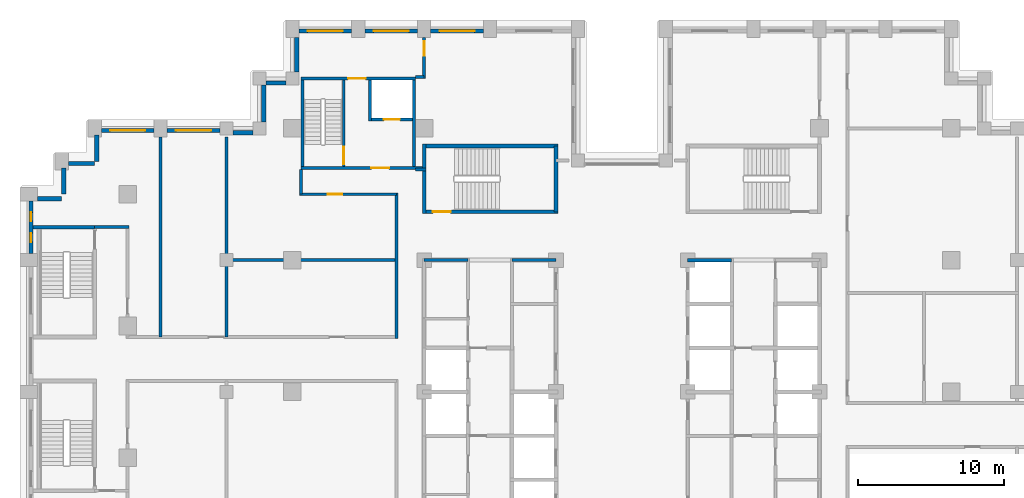
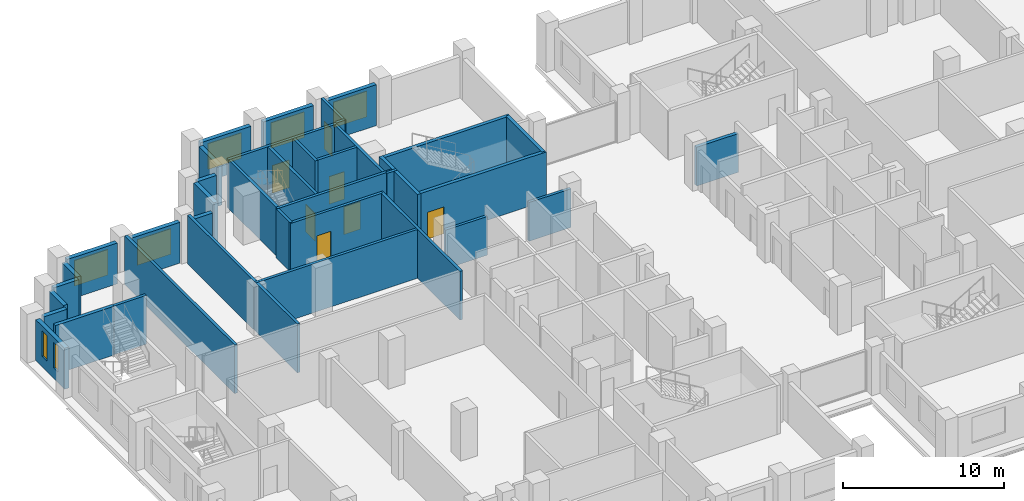
# One storey, part 10 of 16: 39 walls, 7 doors, 7 windows, 14 openings.
"""IFC4 building model written with IfcOpenShell, lengths in metres."""

from ifc_helpers import new_model, si_unit, direction, frame, frame_2d, origin, place, context, subcontext, project, spatial, rectangle, extrude, material, layer, layer_set, type_object, element, fill, save


model = new_model("IFC4")

# Units and contexts
model_context = context("Model", 3, precision=1e-05, world=origin(), true_north=direction((0.0, 1.0)))
body_context = subcontext(model_context, "Body", "Model", "MODEL_VIEW")
ifc_project = project(units=[si_unit("LENGTHUNIT", "METRE"), si_unit("AREAUNIT", "SQUARE_METRE"), si_unit("VOLUMEUNIT", "CUBIC_METRE"), si_unit("PLANEANGLEUNIT", "RADIAN"), si_unit("MASSUNIT", "GRAM", prefix="KILO")], contexts=[model_context])

# Site, building, storey
site_placement = place(None, origin())
site = spatial("IfcSite", under=ifc_project, at=site_placement, CompositionType="ELEMENT")
building_placement = place(site_placement, origin())
building = spatial("IfcBuilding", under=site, at=building_placement, Name="Corbelhall Arena Tower", CompositionType="ELEMENT")
storey_placement = place(building_placement, frame((0.0, 0.0, 72.0)))
storey = spatial("IfcBuildingStorey", under=building, at=storey_placement, Name="L10", CompositionType="ELEMENT", Elevation=72.0)

# Walls
ifc_material_1 = material(Name="Precast concrete C40/50 with granite facing", Category="masonry")
ifc_layer_1 = layer(ifc_material_1, 0.300048828125)
ifc_layer_set_1 = layer_set([ifc_layer_1], Name="EV-IW1 Infill panel 300")
wall_type_1 = type_object("IfcWallType", Name="EV-IW1 Infill panel 300", PredefinedType="SOLIDWALL", material=ifc_layer_set_1)
for number, where, z_axis, x_axis, name in (
    (1, (-35.85009765625, 17.550048828125, 0.0), (0.0, 0.0, 1.0), (0.0, -1.0, 0.0), "Infill panel IW1"),
    (2, (-37.800048828125, 15.60009765625, 0.0), (0.0, 0.0, 1.0), (1.0, 0.0, 0.0), "Infill panel IW1"),
    (3, (-38.10009765625, 15.300048828125, 0.0), (0.0, 0.0, 1.0), (0.0, -1.0, 0.0), "Infill panel IW1"),
):
    element("IfcWall", number, at=place(storey_placement, frame(where, z_axis=z_axis, x_axis=x_axis)), inside=storey, type_object=wall_type_1, Name=name, PredefinedType="SOLIDWALL", context=body_context, shape_type="SweptSolid", body=[
        extrude(rectangle(XDim=1.800048828125, YDim=0.300048828125, at=frame_2d((0.89990234375, 0.0))), origin(), (0.0, 0.0, 1.0), 3.10009765625),
    ])
wall_1_placement = place(storey_placement, frame((-39.89990234375, 13.199951171875, 0.0), z_axis=(0.0, 0.0, 1.0), x_axis=(1.0, 0.0, 0.0)))
element("IfcWall", 4, at=wall_1_placement, inside=storey, type_object=wall_type_1, Name="Infill panel IW1", PredefinedType="SOLIDWALL", context=body_context, shape_type="SweptSolid", body=[
    extrude(rectangle(XDim=1.64990234375, YDim=0.300048828125, at=frame_2d((0.824951171875, 0.0))), origin(), (0.0, 0.0, 1.0), 3.10009765625),
])
wall_2_placement = place(storey_placement, frame((-22.199951171875, 24.199951171875, 0.0), z_axis=(0.0, 0.0, 1.0), x_axis=(0.0, -1.0, 0.0)))
element("IfcWall", 5, at=wall_2_placement, inside=storey, type_object=wall_type_1, Name="Infill panel IW1", PredefinedType="SOLIDWALL", context=body_context, shape_type="SweptSolid", body=[
    extrude(rectangle(XDim=2.349853515625, YDim=0.300048828125, at=frame_2d((1.1748046875, 0.0))), origin(), (0.0, 0.0, 1.0), 3.10009765625),
])
wall_3_placement = place(storey_placement, frame((-22.949951171875, 21.10009765625, 0.0), z_axis=(0.0, 0.0, 1.0), x_axis=(-1.0, 0.0, 0.0)))
element("IfcWall", 6, at=wall_3_placement, inside=storey, type_object=wall_type_1, Name="Infill panel IW1", PredefinedType="SOLIDWALL", context=body_context, shape_type="SweptSolid", body=[
    extrude(rectangle(XDim=1.35009765625, YDim=0.300048828125, at=frame_2d((0.675048828125, 0.0))), origin(), (0.0, 0.0, 1.0), 3.10009765625),
])
wall_4_placement = place(storey_placement, frame((-24.449951171875, 20.949951171875, 0.0), z_axis=(0.0, 0.0, 1.0), x_axis=(0.0, -1.0, 0.0)))
element("IfcWall", 7, at=wall_4_placement, inside=storey, type_object=wall_type_1, Name="Infill panel IW1", PredefinedType="SOLIDWALL", context=body_context, shape_type="SweptSolid", body=[
    extrude(rectangle(XDim=2.5, YDim=0.300048828125, at=frame_2d((1.25, 0.0))), origin(), (0.0, 0.0, 1.0), 3.10009765625),
])
wall_5_placement = place(storey_placement, frame((-25.199951171875, 17.699951171875, 0.0), z_axis=(0.0, 0.0, 1.0), x_axis=(-1.0, 0.0, 0.0)))
element("IfcWall", 8, at=wall_5_placement, inside=storey, type_object=wall_type_1, Name="Infill panel IW1", PredefinedType="SOLIDWALL", context=body_context, shape_type="SweptSolid", body=[
    extrude(rectangle(XDim=1.35009765625, YDim=0.300048828125, at=frame_2d((0.675048828125, 0.0))), origin(), (0.0, 0.0, 1.0), 3.10009765625),
])

# Wall, opening, window
wall_6_placement = place(storey_placement, frame((-27.449951171875, 17.85009765625, 0.0), z_axis=(0.0, 0.0, 1.0), x_axis=(-1.0, 0.0, 0.0)))
wall_6 = element("IfcWall", 9, at=wall_6_placement, inside=storey, type_object=wall_type_1, Name="Infill panel IW1", PredefinedType="SOLIDWALL", context=body_context, shape_type="SweptSolid", body=[
    extrude(rectangle(XDim=3.60009765625, YDim=0.300048828125, at=frame_2d((1.800048828125, 0.0))), origin(), (0.0, 0.0, 1.0), 3.10009765625),
])
opening_1_placement = place(wall_6_placement, frame((0.60009765625, 0.0, 0.800048828125)))
opening_1 = element("IfcOpeningElement", 10, at=opening_1_placement, cuts=wall_6, Name="Opening WN1", PredefinedType="OPENING", context=body_context, shape_type="SweptSolid", body=[
    extrude(rectangle(XDim=2.39990234375, YDim=1.949951171875, at=frame_2d((1.199951171875, 0.97509765625))), frame((0.0, 0.14990234375, 0.0), z_axis=(0.0, -1.0, 0.0), x_axis=(1.0, 0.0, 0.0)), (0.0, 0.0, 1.0), 0.300048828125),
])
ifc_material_2 = material(Name="Aluminium black anodised", Category="aluminium")
window_type_1 = type_object("IfcWindowType", Name="EV-WN1 Office window", PartitioningType="SINGLE_PANEL", PredefinedType="WINDOW", material=ifc_material_2)
window_1_placement = place(opening_1_placement, origin())
window_1 = element("IfcWindow", 11, at=window_1_placement, inside=storey, type_object=window_type_1, Name="Window WN1", OverallHeight=1.949951171875, OverallWidth=2.39990234375, PartitioningType="SINGLE_PANEL", PredefinedType="WINDOW", context=body_context, shape_type="SweptSolid", body=[
    extrude(rectangle(XDim=2.39990234375, YDim=1.949951171875, at=frame_2d((1.199951171875, 0.97509765625))), frame((0.0, 0.030029296875, 0.0), z_axis=(0.0, -1.0, 0.0), x_axis=(1.0, 0.0, 0.0)), (0.0, 0.0, 1.0), 0.06005859375),
])
fill(opening_1, window_1)

wall_7_placement = place(storey_placement, frame((-31.949951171875, 17.85009765625, 0.0), z_axis=(0.0, 0.0, 1.0), x_axis=(-1.0, 0.0, 0.0)))
wall_7 = element("IfcWall", 12, at=wall_7_placement, inside=storey, type_object=wall_type_1, Name="Infill panel IW1", PredefinedType="SOLIDWALL", context=body_context, shape_type="SweptSolid", body=[
    extrude(rectangle(XDim=3.60009765625, YDim=0.300048828125, at=frame_2d((1.800048828125, 0.0))), origin(), (0.0, 0.0, 1.0), 3.10009765625),
])
opening_2_placement = place(wall_7_placement, frame((0.60009765625, 0.0, 0.800048828125)))
opening_2 = element("IfcOpeningElement", 13, at=opening_2_placement, cuts=wall_7, Name="Opening WN1", PredefinedType="OPENING", context=body_context, shape_type="SweptSolid", body=[
    extrude(rectangle(XDim=2.39990234375, YDim=1.949951171875, at=frame_2d((1.199951171875, 0.97509765625))), frame((0.0, 0.14990234375, 0.0), z_axis=(0.0, -1.0, 0.0), x_axis=(1.0, 0.0, 0.0)), (0.0, 0.0, 1.0), 0.300048828125),
])
window_2_placement = place(opening_2_placement, origin())
window_2 = element("IfcWindow", 14, at=window_2_placement, inside=storey, type_object=window_type_1, Name="Window WN1", OverallHeight=1.949951171875, OverallWidth=2.39990234375, PartitioningType="SINGLE_PANEL", PredefinedType="WINDOW", context=body_context, shape_type="SweptSolid", body=[
    extrude(rectangle(XDim=2.39990234375, YDim=1.949951171875, at=frame_2d((1.199951171875, 0.97509765625))), frame((0.0, 0.030029296875, 0.0), z_axis=(0.0, -1.0, 0.0), x_axis=(1.0, 0.0, 0.0)), (0.0, 0.0, 1.0), 0.06005859375),
])
fill(opening_2, window_2)

# Wall, openings, windows
wall_8_placement = place(storey_placement, frame((-40.35009765625, 13.050048828125, 0.0), z_axis=(0.0, 0.0, 1.0), x_axis=(0.0, -1.0, 0.0)))
wall_8 = element("IfcWall", 15, at=wall_8_placement, inside=storey, type_object=wall_type_1, Name="Infill panel IW1", PredefinedType="SOLIDWALL", context=body_context, shape_type="SweptSolid", body=[
    extrude(rectangle(XDim=3.60009765625, YDim=0.300048828125, at=frame_2d((1.800048828125, 0.0))), origin(), (0.0, 0.0, 1.0), 3.10009765625),
])
opening_3_placement = place(wall_8_placement, frame((0.78759765625, 0.0, 0.800048828125)))
opening_3 = element("IfcOpeningElement", 16, at=opening_3_placement, cuts=wall_8, Name="Opening WN5", PredefinedType="OPENING", context=body_context, shape_type="SweptSolid", body=[
    extrude(rectangle(XDim=0.60009765625, YDim=1.949951171875, at=frame_2d((0.300048828125, 0.97509765625))), frame((0.0, 0.14990234375, 0.0), z_axis=(0.0, -1.0, 0.0), x_axis=(1.0, 0.0, 0.0)), (0.0, 0.0, 1.0), 0.300048828125),
])
opening_4_placement = place(wall_8_placement, frame((2.21240234375, 0.0, 0.800048828125)))
opening_4 = element("IfcOpeningElement", 17, at=opening_4_placement, cuts=wall_8, Name="Opening WN5", PredefinedType="OPENING", context=body_context, shape_type="SweptSolid", body=[
    extrude(rectangle(XDim=0.60009765625, YDim=1.949951171875, at=frame_2d((0.300048828125, 0.97509765625))), frame((0.0, 0.14990234375, 0.0), z_axis=(0.0, -1.0, 0.0), x_axis=(1.0, 0.0, 0.0)), (0.0, 0.0, 1.0), 0.300048828125),
])
window_type_2 = type_object("IfcWindowType", Name="EV-WN5 Office window 600", PartitioningType="SINGLE_PANEL", PredefinedType="WINDOW", material=ifc_material_2)
window_3_placement = place(opening_3_placement, origin())
window_3 = element("IfcWindow", 18, at=window_3_placement, inside=storey, type_object=window_type_2, Name="Window WN5", OverallHeight=1.949951171875, OverallWidth=0.60009765625, PartitioningType="SINGLE_PANEL", PredefinedType="WINDOW", context=body_context, shape_type="SweptSolid", body=[
    extrude(rectangle(XDim=0.60009765625, YDim=1.949951171875, at=frame_2d((0.300048828125, 0.97509765625))), frame((0.0, 0.030029296875, 0.0), z_axis=(0.0, -1.0, 0.0), x_axis=(1.0, 0.0, 0.0)), (0.0, 0.0, 1.0), 0.06005859375),
])
fill(opening_3, window_3)
window_4_placement = place(opening_4_placement, origin())
window_4 = element("IfcWindow", 19, at=window_4_placement, inside=storey, type_object=window_type_2, Name="Window WN5", OverallHeight=1.949951171875, OverallWidth=0.60009765625, PartitioningType="SINGLE_PANEL", PredefinedType="WINDOW", context=body_context, shape_type="SweptSolid", body=[
    extrude(rectangle(XDim=0.60009765625, YDim=1.949951171875, at=frame_2d((0.300048828125, 0.97509765625))), frame((0.0, 0.030029296875, 0.0), z_axis=(0.0, -1.0, 0.0), x_axis=(1.0, 0.0, 0.0)), (0.0, 0.0, 1.0), 0.06005859375),
])
fill(opening_4, window_4)

# Wall, opening, window
wall_9_placement = place(storey_placement, frame((-9.449951171875, 24.64990234375, 0.0), z_axis=(0.0, 0.0, 1.0), x_axis=(-1.0, 0.0, 0.0)))
wall_9 = element("IfcWall", 20, at=wall_9_placement, inside=storey, type_object=wall_type_1, Name="Infill panel IW1", PredefinedType="SOLIDWALL", context=body_context, shape_type="SweptSolid", body=[
    extrude(rectangle(XDim=3.60009765625, YDim=0.300048828125, at=frame_2d((1.800048828125, 0.0))), origin(), (0.0, 0.0, 1.0), 3.10009765625),
])
opening_5_placement = place(wall_9_placement, frame((0.60009765625, 0.0, 0.800048828125)))
opening_5 = element("IfcOpeningElement", 21, at=opening_5_placement, cuts=wall_9, Name="Opening WN1", PredefinedType="OPENING", context=body_context, shape_type="SweptSolid", body=[
    extrude(rectangle(XDim=2.39990234375, YDim=1.949951171875, at=frame_2d((1.199951171875, 0.97509765625))), frame((0.0, 0.14990234375, 0.0), z_axis=(0.0, -1.0, 0.0), x_axis=(1.0, 0.0, 0.0)), (0.0, 0.0, 1.0), 0.300048828125),
])
window_5_placement = place(opening_5_placement, origin())
window_5 = element("IfcWindow", 22, at=window_5_placement, inside=storey, type_object=window_type_1, Name="Window WN1", OverallHeight=1.949951171875, OverallWidth=2.39990234375, PartitioningType="SINGLE_PANEL", PredefinedType="WINDOW", context=body_context, shape_type="SweptSolid", body=[
    extrude(rectangle(XDim=2.39990234375, YDim=1.949951171875, at=frame_2d((1.199951171875, 0.97509765625))), frame((0.0, 0.030029296875, 0.0), z_axis=(0.0, -1.0, 0.0), x_axis=(1.0, 0.0, 0.0)), (0.0, 0.0, 1.0), 0.06005859375),
])
fill(opening_5, window_5)

wall_10_placement = place(storey_placement, frame((-13.949951171875, 24.64990234375, 0.0), z_axis=(0.0, 0.0, 1.0), x_axis=(-1.0, 0.0, 0.0)))
wall_10 = element("IfcWall", 23, at=wall_10_placement, inside=storey, type_object=wall_type_1, Name="Infill panel IW1", PredefinedType="SOLIDWALL", context=body_context, shape_type="SweptSolid", body=[
    extrude(rectangle(XDim=3.60009765625, YDim=0.300048828125, at=frame_2d((1.800048828125, 0.0))), origin(), (0.0, 0.0, 1.0), 3.10009765625),
])
opening_6_placement = place(wall_10_placement, frame((0.60009765625, 0.0, 0.800048828125)))
opening_6 = element("IfcOpeningElement", 24, at=opening_6_placement, cuts=wall_10, Name="Opening WN1", PredefinedType="OPENING", context=body_context, shape_type="SweptSolid", body=[
    extrude(rectangle(XDim=2.39990234375, YDim=1.949951171875, at=frame_2d((1.199951171875, 0.97509765625))), frame((0.0, 0.14990234375, 0.0), z_axis=(0.0, -1.0, 0.0), x_axis=(1.0, 0.0, 0.0)), (0.0, 0.0, 1.0), 0.300048828125),
])
window_6_placement = place(opening_6_placement, origin())
window_6 = element("IfcWindow", 25, at=window_6_placement, inside=storey, type_object=window_type_1, Name="Window WN1", OverallHeight=1.949951171875, OverallWidth=2.39990234375, PartitioningType="SINGLE_PANEL", PredefinedType="WINDOW", context=body_context, shape_type="SweptSolid", body=[
    extrude(rectangle(XDim=2.39990234375, YDim=1.949951171875, at=frame_2d((1.199951171875, 0.97509765625))), frame((0.0, 0.030029296875, 0.0), z_axis=(0.0, -1.0, 0.0), x_axis=(1.0, 0.0, 0.0)), (0.0, 0.0, 1.0), 0.06005859375),
])
fill(opening_6, window_6)

wall_11_placement = place(storey_placement, frame((-18.449951171875, 24.64990234375, 0.0), z_axis=(0.0, 0.0, 1.0), x_axis=(-1.0, 0.0, 0.0)))
wall_11 = element("IfcWall", 26, at=wall_11_placement, inside=storey, type_object=wall_type_1, Name="Infill panel IW1", PredefinedType="SOLIDWALL", context=body_context, shape_type="SweptSolid", body=[
    extrude(rectangle(XDim=3.60009765625, YDim=0.300048828125, at=frame_2d((1.800048828125, 0.0))), origin(), (0.0, 0.0, 1.0), 3.10009765625),
])
opening_7_placement = place(wall_11_placement, frame((0.60009765625, 0.0, 0.800048828125)))
opening_7 = element("IfcOpeningElement", 27, at=opening_7_placement, cuts=wall_11, Name="Opening WN1", PredefinedType="OPENING", context=body_context, shape_type="SweptSolid", body=[
    extrude(rectangle(XDim=2.39990234375, YDim=1.949951171875, at=frame_2d((1.199951171875, 0.97509765625))), frame((0.0, 0.14990234375, 0.0), z_axis=(0.0, -1.0, 0.0), x_axis=(1.0, 0.0, 0.0)), (0.0, 0.0, 1.0), 0.300048828125),
])
window_7_placement = place(opening_7_placement, origin())
window_7 = element("IfcWindow", 28, at=window_7_placement, inside=storey, type_object=window_type_1, Name="Window WN1", OverallHeight=1.949951171875, OverallWidth=2.39990234375, PartitioningType="SINGLE_PANEL", PredefinedType="WINDOW", context=body_context, shape_type="SweptSolid", body=[
    extrude(rectangle(XDim=2.39990234375, YDim=1.949951171875, at=frame_2d((1.199951171875, 0.97509765625))), frame((0.0, 0.030029296875, 0.0), z_axis=(0.0, -1.0, 0.0), x_axis=(1.0, 0.0, 0.0)), (0.0, 0.0, 1.0), 0.06005859375),
])
fill(opening_7, window_7)

# Walls
ifc_material_3 = material(Name="Gypsum board on steel stud, acoustic", Category="steel")
ifc_layer_2 = layer(ifc_material_3, 0.199951171875)
ifc_layer_set_2 = layer_set([ifc_layer_2], Name="IN-W-DM200")
wall_type_2 = type_object("IfcWallType", Name="IN-W-DM200", PredefinedType="PARTITIONING", material=ifc_layer_set_2)
wall_12_placement = place(storey_placement, frame((-36.0, 11.25, 0.0), z_axis=(0.0, 0.0, 1.0), x_axis=(1.0, 0.0, 0.0)))
element("IfcWall", 29, at=wall_12_placement, inside=storey, type_object=wall_type_2, Name="Partition 001", PredefinedType="PARTITIONING", context=body_context, shape_type="SweptSolid", body=[
    extrude(rectangle(XDim=2.35009765625, YDim=0.199951171875, at=frame_2d((1.175048828125, 0.0))), origin(), (0.0, 0.0, 1.0), 3.699951171875),
])
wall_13_placement = place(storey_placement, frame((-31.5, 17.39990234375, 0.0), z_axis=(0.0, 0.0, 1.0), x_axis=(0.0, -1.0, 0.0)))
element("IfcWall", 30, at=wall_13_placement, inside=storey, type_object=wall_type_2, Name="Partition 006", PredefinedType="PARTITIONING", context=body_context, shape_type="SweptSolid", body=[
    extrude(rectangle(XDim=13.64990234375, YDim=0.199951171875, at=frame_2d((6.824951171875, 0.0))), origin(), (0.0, 0.0, 1.0), 3.699951171875),
])
wall_14_placement = place(storey_placement, frame((-27.10009765625, 9.0, 0.0), z_axis=(0.0, 0.0, 1.0), x_axis=(1.0, 0.0, 0.0)))
element("IfcWall", 31, at=wall_14_placement, inside=storey, type_object=wall_type_2, Name="Partition 007", PredefinedType="PARTITIONING", context=body_context, shape_type="SweptSolid", body=[
    extrude(rectangle(XDim=11.7001953125, YDim=0.199951171875, at=frame_2d((5.85009765625, 0.0))), origin(), (0.0, 0.0, 1.0), 3.699951171875),
])
wall_15_placement = place(storey_placement, frame((-27.0, 3.75, 0.0), z_axis=(0.0, 0.0, 1.0), x_axis=(0.0, 1.0, 0.0)))
element("IfcWall", 32, at=wall_15_placement, inside=storey, type_object=wall_type_2, Name="Partition 009", PredefinedType="PARTITIONING", context=body_context, shape_type="SweptSolid", body=[
    extrude(rectangle(XDim=13.64990234375, YDim=0.199951171875, at=frame_2d((6.824951171875, 0.0))), origin(), (0.0, 0.0, 1.0), 3.699951171875),
])
wall_16_placement = place(storey_placement, frame((-21.89990234375, 13.5, 0.0), z_axis=(0.0, 0.0, 1.0), x_axis=(0.0, 1.0, 0.0)))
element("IfcWall", 33, at=wall_16_placement, inside=storey, type_object=wall_type_2, Name="Partition 013", PredefinedType="PARTITIONING", context=body_context, shape_type="SweptSolid", body=[
    extrude(rectangle(XDim=1.699951171875, YDim=0.199951171875, at=frame_2d((0.85009765625, 0.0))), origin(), (0.0, 0.0, 1.0), 3.699951171875),
])
wall_17_placement = place(storey_placement, frame((-15.39990234375, 3.64990234375, 0.0), z_axis=(0.0, 0.0, 1.0), x_axis=(0.0, 1.0, 0.0)))
element("IfcWall", 34, at=wall_17_placement, inside=storey, type_object=wall_type_2, Name="Partition 017", PredefinedType="PARTITIONING", context=body_context, shape_type="SweptSolid", body=[
    extrude(rectangle(XDim=9.9501953125, YDim=0.199951171875, at=frame_2d((4.97509765625, 0.0))), origin(), (0.0, 0.0, 1.0), 3.699951171875),
])

# Wall, opening, door
wall_18_placement = place(storey_placement, frame((-15.39990234375, 13.5, 0.0), z_axis=(0.0, 0.0, 1.0), x_axis=(-1.0, 0.0, 0.0)))
wall_18 = element("IfcWall", 35, at=wall_18_placement, inside=storey, type_object=wall_type_2, Name="Partition 018", PredefinedType="PARTITIONING", context=body_context, shape_type="SweptSolid", body=[
    extrude(rectangle(XDim=6.60009765625, YDim=0.199951171875, at=frame_2d((3.300048828125, 0.0))), origin(), (0.0, 0.0, 1.0), 3.699951171875),
])
opening_8_placement = place(wall_18_placement, frame((3.699951171875, 0.0, 0.0)))
opening_8 = element("IfcOpeningElement", 36, at=opening_8_placement, cuts=wall_18, Name="Opening 01028", PredefinedType="OPENING", context=body_context, shape_type="SweptSolid", body=[
    extrude(rectangle(XDim=1.0, YDim=2.10009765625, at=frame_2d((0.5, 1.050048828125))), frame((0.0, 0.10009765625, 0.0), z_axis=(0.0, -1.0, 0.0), x_axis=(1.0, 0.0, 0.0)), (0.0, 0.0, 1.0), 0.199951171875),
])
ifc_material_4 = material(Name="Steel door set", Category="steel")
door_type_1 = type_object("IfcDoorType", Name="IN-D-SW100", OperationType="NOTDEFINED", PredefinedType="DOOR", material=ifc_material_4)
door_1_placement = place(opening_8_placement, origin())
door_1 = element("IfcDoor", 37, at=door_1_placement, inside=storey, type_object=door_type_1, Name="Door 028", OperationType="SINGLE_SWING_LEFT", OverallHeight=2.10009765625, OverallWidth=1.0, PredefinedType="DOOR", context=body_context, shape_type="SweptSolid", body=[
    extrude(rectangle(XDim=1.0, YDim=2.10009765625, at=frame_2d((0.5, 1.050048828125))), frame((0.0, 0.02490234375, 0.0), z_axis=(0.0, -1.0, 0.0), x_axis=(1.0, 0.0, 0.0)), (0.0, 0.0, 1.0), 0.050048828125),
])
fill(opening_8, door_1)

# Walls
wall_19_placement = place(storey_placement, frame((-14.10009765625, 15.199951171875, 0.0), z_axis=(0.0, 0.0, 1.0), x_axis=(1.0, 0.0, 0.0)))
element("IfcWall", 38, at=wall_19_placement, inside=storey, type_object=wall_type_2, Name="Partition 019", PredefinedType="PARTITIONING", context=body_context, shape_type="SweptSolid", body=[
    extrude(rectangle(XDim=0.72509765625, YDim=0.199951171875, at=frame_2d((0.362548828125, 0.0))), origin(), (0.0, 0.0, 1.0), 3.699951171875),
])
wall_20_placement = place(storey_placement, frame((-13.5, 21.5, 0.0), z_axis=(0.0, 0.0, 1.0), x_axis=(-1.0, 0.0, 0.0)))
element("IfcWall", 39, at=wall_20_placement, inside=storey, type_object=wall_type_2, Name="Partition 021", PredefinedType="PARTITIONING", context=body_context, shape_type="SweptSolid", body=[
    extrude(rectangle(XDim=0.60009765625, YDim=0.199951171875, at=frame_2d((0.300048828125, 0.0))), origin(), (0.0, 0.0, 1.0), 3.699951171875),
])

# Wall, opening, door
wall_21_placement = place(storey_placement, frame((-13.5, 24.199951171875, 0.0), z_axis=(0.0, 0.0, 1.0), x_axis=(0.0, -1.0, 0.0)))
wall_21 = element("IfcWall", 40, at=wall_21_placement, inside=storey, type_object=wall_type_2, Name="Partition 022", PredefinedType="PARTITIONING", context=body_context, shape_type="SweptSolid", body=[
    extrude(rectangle(XDim=2.800048828125, YDim=0.199951171875, at=frame_2d((1.39990234375, 0.0))), origin(), (0.0, 0.0, 1.0), 3.699951171875),
])
opening_9_placement = place(wall_21_placement, frame((0.25, 0.0, 0.0)))
opening_9 = element("IfcOpeningElement", 41, at=opening_9_placement, cuts=wall_21, Name="Opening 01023", PredefinedType="OPENING", context=body_context, shape_type="SweptSolid", body=[
    extrude(rectangle(XDim=1.0, YDim=2.10009765625, at=frame_2d((0.5, 1.050048828125))), frame((0.0, 0.10009765625, 0.0), z_axis=(0.0, -1.0, 0.0), x_axis=(1.0, 0.0, 0.0)), (0.0, 0.0, 1.0), 0.199951171875),
])
door_2_placement = place(opening_9_placement, origin())
door_2 = element("IfcDoor", 42, at=door_2_placement, inside=storey, type_object=door_type_1, Name="Door 023", OperationType="SINGLE_SWING_RIGHT", OverallHeight=2.10009765625, OverallWidth=1.0, PredefinedType="DOOR", context=body_context, shape_type="SweptSolid", body=[
    extrude(rectangle(XDim=1.0, YDim=2.10009765625, at=frame_2d((0.5, 1.050048828125))), frame((0.0, 0.02490234375, 0.0), z_axis=(0.0, -1.0, 0.0), x_axis=(1.0, 0.0, 0.0)), (0.0, 0.0, 1.0), 0.050048828125),
])
fill(opening_9, door_2)

ifc_material_5 = material(Name="Concrete C40/50", Category="concrete")
ifc_layer_3 = layer(ifc_material_5, 0.199951171875)
ifc_layer_set_3 = layer_set([ifc_layer_3], Name="IN-W-EAR200")
wall_type_3 = type_object("IfcWallType", Name="IN-W-EAR200", PredefinedType="SOLIDWALL", material=ifc_layer_set_3)
wall_22_placement = place(storey_placement, frame((-21.89990234375, 15.300048828125, 0.0), z_axis=(0.0, 0.0, 1.0), x_axis=(1.0, 0.0, 0.0)))
wall_22 = element("IfcWall", 43, at=wall_22_placement, inside=storey, type_object=wall_type_3, Name="Fire service turret wall south", PredefinedType="SOLIDWALL", context=body_context, shape_type="SweptSolid", body=[
    extrude(rectangle(XDim=8.27490234375, YDim=0.199951171875, at=frame_2d((4.137451171875, 0.0))), origin(), (0.0, 0.0, 1.0), 3.699951171875),
])
opening_10_placement = place(wall_22_placement, frame((4.800048828125, 0.0, 0.0)))
opening_10 = element("IfcOpeningElement", 44, at=opening_10_placement, cuts=wall_22, Name="Opening E012", PredefinedType="OPENING", context=body_context, shape_type="SweptSolid", body=[
    extrude(rectangle(XDim=1.199951171875, YDim=2.10009765625, at=frame_2d((0.60009765625, 1.050048828125))), frame((0.0, 0.10009765625, 0.0), z_axis=(0.0, -1.0, 0.0), x_axis=(1.0, 0.0, 0.0)), (0.0, 0.0, 1.0), 0.199951171875),
])
door_type_2 = type_object("IfcDoorType", Name="IN-D-ST120", OperationType="NOTDEFINED", PredefinedType="DOOR", material=ifc_material_4)
door_3_placement = place(opening_10_placement, origin())
door_3 = element("IfcDoor", 45, at=door_3_placement, inside=storey, type_object=door_type_2, Name="Door from fire service lift lobby to circulation", OperationType="SINGLE_SWING_RIGHT", OverallHeight=2.10009765625, OverallWidth=1.199951171875, PredefinedType="DOOR", context=body_context, shape_type="SweptSolid", body=[
    extrude(rectangle(XDim=1.199951171875, YDim=2.10009765625, at=frame_2d((0.60009765625, 1.050048828125))), frame((0.0, 0.02490234375, 0.0), z_axis=(0.0, -1.0, 0.0), x_axis=(1.0, 0.0, 0.0)), (0.0, 0.0, 1.0), 0.050048828125),
])
fill(opening_10, door_3)

wall_23_placement = place(storey_placement, frame((-21.89990234375, 21.39990234375, 0.0), z_axis=(0.0, 0.0, 1.0), x_axis=(1.0, 0.0, 0.0)))
wall_23 = element("IfcWall", 46, at=wall_23_placement, inside=storey, type_object=wall_type_3, Name="Fire service turret wall north", PredefinedType="SOLIDWALL", context=body_context, shape_type="SweptSolid", body=[
    extrude(rectangle(XDim=7.7998046875, YDim=0.199951171875, at=frame_2d((3.89990234375, 0.0))), origin(), (0.0, 0.0, 1.0), 3.699951171875),
])
opening_11_placement = place(wall_23_placement, frame((3.199951171875, 0.0, 0.0)))
opening_11 = element("IfcOpeningElement", 47, at=opening_11_placement, cuts=wall_23, Name="Opening E013", PredefinedType="OPENING", context=body_context, shape_type="SweptSolid", body=[
    extrude(rectangle(XDim=1.199951171875, YDim=2.10009765625, at=frame_2d((0.60009765625, 1.050048828125))), frame((0.0, 0.10009765625, 0.0), z_axis=(0.0, -1.0, 0.0), x_axis=(1.0, 0.0, 0.0)), (0.0, 0.0, 1.0), 0.199951171875),
])
door_4_placement = place(opening_11_placement, origin())
door_4 = element("IfcDoor", 48, at=door_4_placement, inside=storey, type_object=door_type_2, Name="Door from fire service lift lobby to the north gallery", OperationType="SINGLE_SWING_LEFT", OverallHeight=2.10009765625, OverallWidth=1.199951171875, PredefinedType="DOOR", context=body_context, shape_type="SweptSolid", body=[
    extrude(rectangle(XDim=1.199951171875, YDim=2.10009765625, at=frame_2d((0.60009765625, 1.050048828125))), frame((0.0, 0.02490234375, 0.0), z_axis=(0.0, -1.0, 0.0), x_axis=(1.0, 0.0, 0.0)), (0.0, 0.0, 1.0), 0.050048828125),
])
fill(opening_11, door_4)

# Walls
for number, where, z_axis, x_axis, name in (
    (49, (-21.800048828125, 15.39990234375, 0.0), (0.0, 0.0, 1.0), (0.0, 1.0, 0.0), "Fire service turret wall west"),
    (50, (-14.199951171875, 15.39990234375, 0.0), (0.0, 0.0, 1.0), (0.0, 1.0, 0.0), "Fire service turret wall east"),
):
    element("IfcWall", number, at=place(storey_placement, frame(where, z_axis=z_axis, x_axis=x_axis)), inside=storey, type_object=wall_type_3, Name=name, PredefinedType="SOLIDWALL", context=body_context, shape_type="SweptSolid", body=[
        extrude(rectangle(XDim=5.900146484375, YDim=0.199951171875, at=frame_2d((2.9501953125, 0.0))), origin(), (0.0, 0.0, 1.0), 3.699951171875),
    ])

# Wall, opening, door
wall_24_placement = place(storey_placement, frame((-18.989990234375, 15.39990234375, 0.0), z_axis=(0.0, 0.0, 1.0), x_axis=(0.0, 1.0, 0.0)))
wall_24 = element("IfcWall", 51, at=wall_24_placement, inside=storey, type_object=wall_type_3, Name="Fire service turret wall stair", PredefinedType="SOLIDWALL", context=body_context, shape_type="SweptSolid", body=[
    extrude(rectangle(XDim=5.900146484375, YDim=0.199951171875, at=frame_2d((2.9501953125, 0.0))), origin(), (0.0, 0.0, 1.0), 3.699951171875),
])
opening_12_placement = place(wall_24_placement, frame((0.14990234375, 0.0, 0.0)))
opening_12 = element("IfcOpeningElement", 52, at=opening_12_placement, cuts=wall_24, Name="Opening E011", PredefinedType="OPENING", context=body_context, shape_type="SweptSolid", body=[
    extrude(rectangle(XDim=1.199951171875, YDim=2.10009765625, at=frame_2d((0.60009765625, 1.050048828125))), frame((0.0, 0.10009765625, 0.0), z_axis=(0.0, -1.0, 0.0), x_axis=(1.0, 0.0, 0.0)), (0.0, 0.0, 1.0), 0.199951171875),
])
door_5_placement = place(opening_12_placement, origin())
door_5 = element("IfcDoor", 53, at=door_5_placement, inside=storey, type_object=door_type_2, Name="Stair door to fire service lobby", OperationType="SINGLE_SWING_LEFT", OverallHeight=2.10009765625, OverallWidth=1.199951171875, PredefinedType="DOOR", context=body_context, shape_type="SweptSolid", body=[
    extrude(rectangle(XDim=1.199951171875, YDim=2.10009765625, at=frame_2d((0.60009765625, 1.050048828125))), frame((0.0, 0.02490234375, 0.0), z_axis=(0.0, -1.0, 0.0), x_axis=(1.0, 0.0, 0.0)), (0.0, 0.0, 1.0), 0.050048828125),
])
fill(opening_12, door_5)

# Wall
wall_25_placement = place(storey_placement, frame((-17.199951171875, 18.5, 0.0), z_axis=(0.0, 0.0, 1.0), x_axis=(0.0, 1.0, 0.0)))
element("IfcWall", 54, at=wall_25_placement, inside=storey, type_object=wall_type_3, Name="Fire service turret wall hoistway west", PredefinedType="SOLIDWALL", context=body_context, shape_type="SweptSolid", body=[
    extrude(rectangle(XDim=2.800048828125, YDim=0.199951171875, at=frame_2d((1.39990234375, 0.0))), origin(), (0.0, 0.0, 1.0), 3.699951171875),
])

# Wall, opening, door
wall_26_placement = place(storey_placement, frame((-17.10009765625, 18.60009765625, 0.0), z_axis=(0.0, 0.0, 1.0), x_axis=(1.0, 0.0, 0.0)))
wall_26 = element("IfcWall", 55, at=wall_26_placement, inside=storey, type_object=wall_type_3, Name="Fire service turret wall hoistway south", PredefinedType="SOLIDWALL", context=body_context, shape_type="SweptSolid", body=[
    extrude(rectangle(XDim=2.800048828125, YDim=0.199951171875, at=frame_2d((1.39990234375, 0.0))), origin(), (0.0, 0.0, 1.0), 3.699951171875),
])
opening_13_placement = place(wall_26_placement, frame((0.85009765625, 0.0, 0.0)))
opening_13 = element("IfcOpeningElement", 56, at=opening_13_placement, cuts=wall_26, Name="Opening LD", PredefinedType="OPENING", context=body_context, shape_type="SweptSolid", body=[
    extrude(rectangle(XDim=1.10009765625, YDim=2.10009765625, at=frame_2d((0.550048828125, 1.050048828125))), frame((0.0, 0.10009765625, 0.0), z_axis=(0.0, -1.0, 0.0), x_axis=(1.0, 0.0, 0.0)), (0.0, 0.0, 1.0), 0.199951171875),
])
door_type_3 = type_object("IfcDoorType", Name="IN-D-LD110", OperationType="NOTDEFINED", PredefinedType="DOOR", material=ifc_material_4)
door_6_placement = place(opening_13_placement, origin())
door_6 = element("IfcDoor", 57, at=door_6_placement, inside=storey, type_object=door_type_3, Name="Landing door FS1", OperationType="SLIDING_TO_LEFT", OverallHeight=2.10009765625, OverallWidth=1.10009765625, PredefinedType="DOOR", context=body_context, shape_type="SweptSolid", body=[
    extrude(rectangle(XDim=1.10009765625, YDim=2.10009765625, at=frame_2d((0.550048828125, 1.050048828125))), frame((0.0, 0.02490234375, 0.0), z_axis=(0.0, -1.0, 0.0), x_axis=(1.0, 0.0, 0.0)), (0.0, 0.0, 1.0), 0.050048828125),
])
fill(opening_13, door_6)

# Walls
ifc_material_6 = material(Name="Concrete block wall", Category="concrete")
ifc_layer_4 = layer(ifc_material_6, 0.199951171875)
ifc_layer_set_4 = layer_set([ifc_layer_4], Name="IN-W-RS200 under beam 762 mm")
wall_type_4 = type_object("IfcWallType", Name="IN-W-RS200 under beam 762 mm", PredefinedType="SOLIDWALL", material=ifc_layer_set_4)
for number, where, z_axis, x_axis, name in (
    (58, (-13.5, 9.0, 0.0), (0.0, 0.0, 1.0), (1.0, 0.0, 0.0), "Partition 046"),
    (59, (-7.5, 9.0, 0.0), (0.0, 0.0, 1.0), (1.0, 0.0, 0.0), "Partition 051"),
):
    element("IfcWall", number, at=place(storey_placement, frame(where, z_axis=z_axis, x_axis=x_axis)), inside=storey, type_object=wall_type_4, Name=name, PredefinedType="SOLIDWALL", context=body_context, shape_type="SweptSolid", body=[
        extrude(rectangle(XDim=3.0, YDim=0.199951171875, at=frame_2d((1.5, 0.0))), origin(), (0.0, 0.0, 1.0), 2.93798828125),
    ])
ifc_layer_5 = layer(ifc_material_5, 0.25)
ifc_layer_set_5 = layer_set([ifc_layer_5], Name="IN-W-SH250 under beam 762 mm")
wall_type_5 = type_object("IfcWallType", Name="IN-W-SH250 under beam 762 mm", PredefinedType="SOLIDWALL", material=ifc_layer_set_5)
wall_27_placement = place(storey_placement, frame((4.5, 9.0, 0.0), z_axis=(0.0, 0.0, 1.0), x_axis=(1.0, 0.0, 0.0)))
element("IfcWall", 60, at=wall_27_placement, inside=storey, type_object=wall_type_5, Name="Shaft wall 076", PredefinedType="SOLIDWALL", context=body_context, shape_type="SweptSolid", body=[
    extrude(rectangle(XDim=3.0, YDim=0.25, at=frame_2d((1.5, 0.0))), origin(), (0.0, 0.0, 1.0), 2.93798828125),
])
ifc_layer_6 = layer(ifc_material_5, 0.25)
ifc_layer_set_6 = layer_set([ifc_layer_6], Name="IN-W-ST250")
wall_type_6 = type_object("IfcWallType", Name="IN-W-ST250", PredefinedType="SOLIDWALL", material=ifc_layer_set_6)
wall_28_placement = place(storey_placement, frame((-40.199951171875, 11.25, 0.0), z_axis=(0.0, 0.0, 1.0), x_axis=(1.0, 0.0, 0.0)))
element("IfcWall", 61, at=wall_28_placement, inside=storey, type_object=wall_type_6, Name="Shaft wall 084", PredefinedType="SOLIDWALL", context=body_context, shape_type="SweptSolid", body=[
    extrude(rectangle(XDim=4.199951171875, YDim=0.25, at=frame_2d((2.10009765625, 0.0))), origin(), (0.0, 0.0, 1.0), 3.699951171875),
])

# Wall, opening, door
wall_29_placement = place(storey_placement, frame((-13.5, 12.300048828125, 0.0), z_axis=(0.0, 0.0, 1.0), x_axis=(1.0, 0.0, 0.0)))
wall_29 = element("IfcWall", 62, at=wall_29_placement, inside=storey, type_object=wall_type_6, Name="Shaft wall 090", PredefinedType="SOLIDWALL", context=body_context, shape_type="SweptSolid", body=[
    extrude(rectangle(XDim=9.125, YDim=0.25, at=frame_2d((4.5625, 0.0))), origin(), (0.0, 0.0, 1.0), 3.699951171875),
])
opening_14_placement = place(wall_29_placement, frame((0.60009765625, 0.0, 0.0)))
opening_14 = element("IfcOpeningElement", 63, at=opening_14_placement, cuts=wall_29, Name="Opening 01015", PredefinedType="OPENING", context=body_context, shape_type="SweptSolid", body=[
    extrude(rectangle(XDim=1.199951171875, YDim=2.10009765625, at=frame_2d((0.60009765625, 1.050048828125))), frame((0.0, 0.125, 0.0), z_axis=(0.0, -1.0, 0.0), x_axis=(1.0, 0.0, 0.0)), (0.0, 0.0, 1.0), 0.25),
])
door_7_placement = place(opening_14_placement, origin())
door_7 = element("IfcDoor", 64, at=door_7_placement, inside=storey, type_object=door_type_2, Name="Door 015", OperationType="SINGLE_SWING_RIGHT", OverallHeight=2.10009765625, OverallWidth=1.199951171875, PredefinedType="DOOR", context=body_context, shape_type="SweptSolid", body=[
    extrude(rectangle(XDim=1.199951171875, YDim=2.10009765625, at=frame_2d((0.60009765625, 1.050048828125))), frame((0.0, 0.02490234375, 0.0), z_axis=(0.0, -1.0, 0.0), x_axis=(1.0, 0.0, 0.0)), (0.0, 0.0, 1.0), 0.050048828125),
])
fill(opening_14, door_7)

# Walls
wall_30_placement = place(storey_placement, frame((-13.5, 12.175048828125, 0.0), z_axis=(0.0, 0.0, 1.0), x_axis=(0.0, 1.0, 0.0)))
element("IfcWall", 65, at=wall_30_placement, inside=storey, type_object=wall_type_6, Name="Shaft wall 091", PredefinedType="SOLIDWALL", context=body_context, shape_type="SweptSolid", body=[
    extrude(rectangle(XDim=4.75, YDim=0.25, at=frame_2d((2.375, 0.0))), origin(), (0.0, 0.0, 1.0), 3.699951171875),
])
wall_31_placement = place(storey_placement, frame((-13.5, 16.800048828125, 0.0), z_axis=(0.0, 0.0, 1.0), x_axis=(1.0, 0.0, 0.0)))
element("IfcWall", 66, at=wall_31_placement, inside=storey, type_object=wall_type_6, Name="Shaft wall 092", PredefinedType="SOLIDWALL", context=body_context, shape_type="SweptSolid", body=[
    extrude(rectangle(XDim=9.125, YDim=0.25, at=frame_2d((4.5625, 0.0))), origin(), (0.0, 0.0, 1.0), 3.699951171875),
])
wall_32_placement = place(storey_placement, frame((-4.5, 16.800048828125, 0.0), z_axis=(0.0, 0.0, 1.0), x_axis=(0.0, -1.0, 0.0)))
element("IfcWall", 67, at=wall_32_placement, inside=storey, type_object=wall_type_6, Name="Shaft wall 095", PredefinedType="SOLIDWALL", context=body_context, shape_type="SweptSolid", body=[
    extrude(rectangle(XDim=4.5, YDim=0.25, at=frame_2d((2.25, 0.0))), origin(), (0.0, 0.0, 1.0), 3.699951171875),
])

save(model, "model.ifc")
